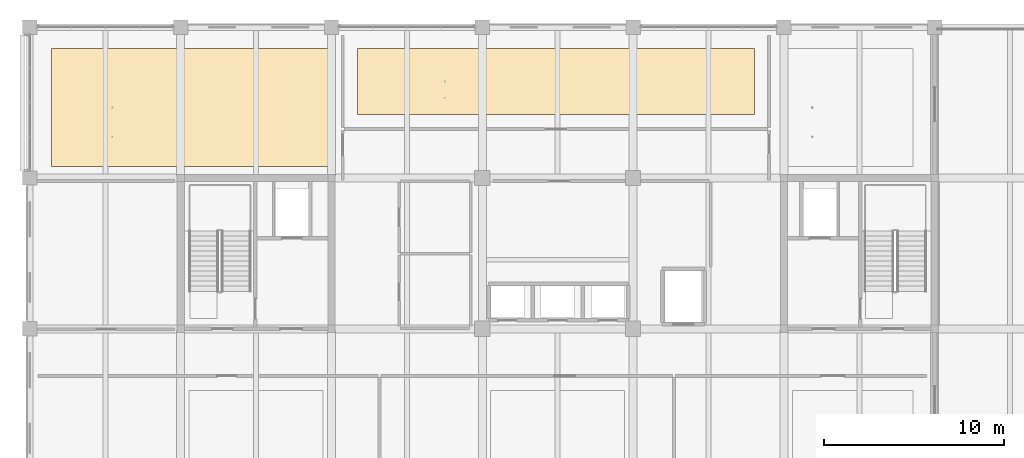
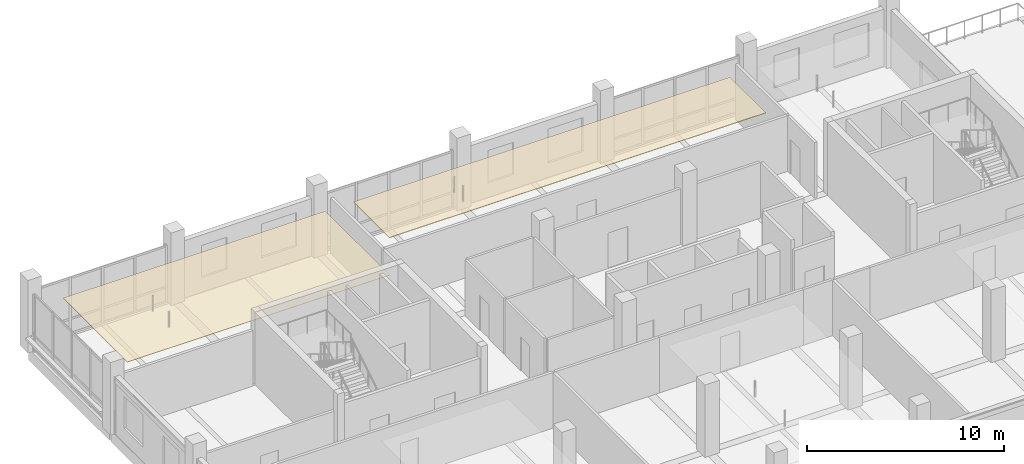
# One storey, part 27 of 36: 2 coverings.
"""IFC4 building model written with IfcOpenShell, lengths in metres."""

import ifcopenshell
import ifcopenshell.guid

model = None  # the IFC model being written
_history = None  # IfcOwnerHistory: only IFC2X3 demands one
_inside = {}  # id of a spatial element -> (the spatial element, [elements in it])
_under = {}  # id of a project, library or spatial element -> (it, [spatial elements below it])
_declared = {}  # id of a project -> (the project, [libraries it declares])
_typed = {}  # id of a type object -> (the type object, [elements of that type])
_made_of = {}  # id of a material, layer set ... -> (it, [elements and type objects made of it])


def new_model(schema):
    """Start an empty IFC model of exactly this schema.

    Asked for "IFC4X3", IfcOpenShell would pick the latest addendum, in which some entities
    have other attributes; the version numbers below select the first issue.
    IFC2X3 requires an IfcOwnerHistory on every rooted entity: one is made here for all.
    """
    global model, _history
    if schema == "IFC4X3":
        model = ifcopenshell.file(schema_version=(4, 3, 0, 0))
    else:
        model = ifcopenshell.file(schema=schema)
    _inside.clear()
    _under.clear()
    _declared.clear()
    _typed.clear()
    _made_of.clear()
    _history = None
    if model.schema == "IFC2X3":
        org = make("IfcOrganization", Name="unknown")
        user = make(
            "IfcPersonAndOrganization",
            ThePerson=make("IfcPerson", FamilyName="unknown"),
            TheOrganization=org,
        )
        app = make(
            "IfcApplication",
            ApplicationDeveloper=org,
            Version="unknown",
            ApplicationFullName="unknown",
            ApplicationIdentifier="unknown",
        )
        _history = make(
            "IfcOwnerHistory",
            OwningUser=user,
            OwningApplication=app,
            ChangeAction="ADDED",
            CreationDate=0,
        )
    return model


def make(cls, **values):
    """One entity of the class cls with the attributes given. An attribute that is None is left unset."""
    return model.create_entity(
        cls, **{name: value for name, value in values.items() if value is not None}
    )


def rooted(cls, **values):
    """An entity with a GlobalId (a new one), such as an element, a storey or a relation."""
    return make(cls, GlobalId=ifcopenshell.guid.new(), OwnerHistory=_history, **values)


def si_unit(unit_type, name, prefix=None):
    """IfcSIUnit, for example si_unit("LENGTHUNIT", "METRE", prefix="MILLI")."""
    return make("IfcSIUnit", UnitType=unit_type, Prefix=prefix, Name=name)


def assignment(units):
    """IfcUnitAssignment: the units of a project."""
    return None if units is None else make("IfcUnitAssignment", Units=units)


def point(xyz):
    """IfcCartesianPoint."""
    return None if xyz is None else make("IfcCartesianPoint", Coordinates=xyz)


def direction(xyz):
    """IfcDirection."""
    return None if xyz is None else make("IfcDirection", DirectionRatios=xyz)


def frame(location, z_axis=None, x_axis=None):
    """IfcAxis2Placement3D, a coordinate frame: its origin and axes. An axis left out is left unset."""
    return make(
        "IfcAxis2Placement3D",
        Location=point(location),
        Axis=direction(z_axis),
        RefDirection=direction(x_axis),
    )


def origin():
    """The frame at (0, 0, 0) with its axes left unset."""
    return frame((0.0, 0.0, 0.0))


def place(relative_to, where):
    """IfcLocalPlacement: puts the frame where relative to a parent placement (None: the world)."""
    return make(
        "IfcLocalPlacement", PlacementRelTo=relative_to, RelativePlacement=where
    )


def context(
    kind, dimensions, precision=None, world=None, true_north=None, identifier=None
):
    """IfcGeometricRepresentationContext, for example the 3D "Model" context."""
    return make(
        "IfcGeometricRepresentationContext",
        ContextIdentifier=identifier,
        ContextType=kind,
        CoordinateSpaceDimension=dimensions,
        Precision=precision,
        WorldCoordinateSystem=world,
        TrueNorth=true_north,
    )


def subcontext(parent, identifier, kind, view, scale=None):
    """IfcGeometricRepresentationSubContext, for example "Body" below "Model"."""
    return make(
        "IfcGeometricRepresentationSubContext",
        ContextIdentifier=identifier,
        ContextType=kind,
        ParentContext=parent,
        TargetScale=scale,
        TargetView=view,
    )


def project(units=None, contexts=None):
    """IfcProject with its units and contexts."""
    return rooted(
        "IfcProject",
        Name="project",
        RepresentationContexts=contexts,
        UnitsInContext=assignment(units),
    )


def spatial(cls, under=None, at=None, **own):
    """A site, building, storey or space (cls), placed at a placement, below another one or the project."""
    s = rooted(cls, ObjectPlacement=at, **own)
    if under is not None:
        _under.setdefault(under.id(), (under, []))[1].append(s)
    return s


def polyline(points):
    """IfcPolyline through the points."""
    return make("IfcPolyline", Points=[point(p) for p in points])


def outline(outer, holes=None, kind="AREA"):
    """IfcArbitraryClosedProfileDef: a profile drawn as a closed curve; with holes, ...WithVoids."""
    if holes is None:
        return make("IfcArbitraryClosedProfileDef", ProfileType=kind, OuterCurve=outer)
    return make(
        "IfcArbitraryProfileDefWithVoids",
        ProfileType=kind,
        OuterCurve=outer,
        InnerCurves=holes,
    )


def extrude(swept, where, along, depth):
    """IfcExtrudedAreaSolid: the profile swept, set in the frame where, extruded along a direction by depth."""
    return make(
        "IfcExtrudedAreaSolid",
        SweptArea=swept,
        Position=where,
        ExtrudedDirection=direction(along),
        Depth=depth,
    )


def shape(context_of_items, identifier, shape_type, items):
    """IfcShapeRepresentation: the items that make up one representation, for example the "Body"."""
    return make(
        "IfcShapeRepresentation",
        ContextOfItems=context_of_items,
        RepresentationIdentifier=identifier,
        RepresentationType=shape_type,
        Items=items,
    )


def material(Name=None, Category=None):
    """IfcMaterial."""
    return make("IfcMaterial", Name=Name, Category=Category)


def layer(
    of_material, thickness, ventilated=None, Name=None, Category=None, Priority=None
):
    """IfcMaterialLayer: one layer of a wall or slab, of a material (None: an air gap)."""
    return make(
        "IfcMaterialLayer",
        Material=of_material,
        LayerThickness=thickness,
        IsVentilated=ventilated,
        Name=Name,
        Category=Category,
        Priority=Priority,
    )


def layer_set(layers, Name=None):
    """IfcMaterialLayerSet."""
    return make("IfcMaterialLayerSet", MaterialLayers=layers, LayerSetName=Name)


def made_of(thing, what):
    """Note that an element or type object is made of a material, layer set ...; save() writes the relation."""
    if what is not None:
        _made_of.setdefault(what.id(), (what, []))[1].append(thing)
    return thing


def type_object(cls, material=None, **own):
    """A type object (cls), such as IfcWallType, which elements share."""
    return made_of(rooted(cls, **own), material)


def element(
    cls,
    number,
    at=None,
    inside=None,
    cuts=None,
    type_object=None,
    material=None,
    context=None,
    identifier="Body",
    shape_type=None,
    held_by="IfcProductDefinitionShape",
    body=None,
    shapes=None,
    **own,
):
    """One element of the class cls, such as IfcWall. Its Tag is "e" and its number.

    at: its placement. inside: the storey or other place that contains it. cuts: it is an
    opening in that element (IfcRelVoidsElement). A single representation is given by context,
    identifier, shape_type and body (its items); several are given by shapes. held_by: the class
    of the entity that holds the representations. save() writes the other relations.
    """
    e = rooted(cls, Tag="e%d" % number, ObjectPlacement=at, **own)
    if body is not None:
        shapes = [shape(context, identifier, shape_type, body)]
    if shapes is not None:
        e.Representation = make(held_by, Representations=shapes)
    if inside is not None:
        _inside.setdefault(inside.id(), (inside, []))[1].append(e)
    if cuts is not None:
        rooted(
            "IfcRelVoidsElement", RelatingBuildingElement=cuts, RelatedOpeningElement=e
        )
    if type_object is not None:
        _typed.setdefault(type_object.id(), (type_object, []))[1].append(e)
    return made_of(e, material)


def aggregate(whole, parts):
    """IfcRelAggregates: a whole, such as a stair, and the parts it consists of."""
    return rooted("IfcRelAggregates", RelatingObject=whole, RelatedObjects=parts)


def save(model, path):
    """Write the relations noted so far, then the file.

    IfcRelAggregates (storeys below a building ...), IfcRelContainedInSpatialStructure (elements
    in a storey), IfcRelDefinesByType, IfcRelAssociatesMaterial and IfcRelDeclares: one each for
    every whole, place, type object, material and project.
    """
    for whole, parts in _under.values():
        aggregate(whole, parts)
    for where, things in _inside.values():
        rooted(
            "IfcRelContainedInSpatialStructure",
            RelatedElements=things,
            RelatingStructure=where,
        )
    for kind, things in _typed.values():
        rooted("IfcRelDefinesByType", RelatedObjects=things, RelatingType=kind)
    for what, things in _made_of.values():
        rooted("IfcRelAssociatesMaterial", RelatedObjects=things, RelatingMaterial=what)
    for by, libraries in _declared.values():
        rooted("IfcRelDeclares", RelatingContext=by, RelatedDefinitions=libraries)
    model.write(path)


model = new_model("IFC4")

# Units and contexts
model_context = context("Model", 3, precision=1e-05, world=origin(), true_north=direction((0.0, 1.0)))
body_context = subcontext(model_context, "Body", "Model", "MODEL_VIEW")
ifc_project = project(units=[si_unit("LENGTHUNIT", "METRE"), si_unit("AREAUNIT", "SQUARE_METRE"), si_unit("VOLUMEUNIT", "CUBIC_METRE"), si_unit("PLANEANGLEUNIT", "RADIAN"), si_unit("MASSUNIT", "GRAM", prefix="KILO")], contexts=[model_context])

# Site, building, storey
site_placement = place(None, origin())
site = spatial("IfcSite", under=ifc_project, at=site_placement, CompositionType="ELEMENT")
building_placement = place(site_placement, origin())
building = spatial("IfcBuilding", under=site, at=building_placement, Name="Telukmera Botanical Conservatory", CompositionType="ELEMENT")
storey_placement = place(building_placement, frame((0.0, 0.0, 33.0)))
storey = spatial("IfcBuildingStorey", under=building, at=storey_placement, Name="L07", CompositionType="ELEMENT", Elevation=33.0)

# Coverings
ifc_material_1 = material(Name="Mineral fibre acoustic ceiling")
ifc_layer_1 = layer(ifc_material_1, 0.030029296875)
ifc_layer_set_1 = layer_set([ifc_layer_1], Name="Mineral fibre acoustic ceiling")
covering_type_1 = type_object("IfcCoveringType", Name="COV-CEIL-30", PredefinedType="CEILING", material=ifc_layer_set_1)
covering_1_placement = place(storey_placement, frame((0.0, 0.0, 3.320068359375)))
element("IfcCovering", 1, at=covering_1_placement, inside=storey, type_object=covering_type_1, Name="L07 Molecular Systematics Laboratory Suspended Acoustic Ceiling", PredefinedType="CEILING", context=body_context, shape_type="SweptSolid", body=[
    extrude(outline(polyline([(51.60009765625, 35.050048828125), (67.0, 35.050048828125), (67.0, 41.60009765625), (51.60009765625, 41.60009765625), (51.60009765625, 35.050048828125)])), origin(), (0.0, 0.0, 1.0), 0.030029296875),
])
ifc_material_2 = material(Name="Perforated gypsum acoustic ceiling")
ifc_layer_2 = layer(ifc_material_2, 0.0400390625)
ifc_layer_set_2 = layer_set([ifc_layer_2], Name="Perforated gypsum acoustic ceiling")
covering_type_2 = type_object("IfcCoveringType", Name="COV-CEIL-40", PredefinedType="CEILING", material=ifc_layer_set_2)
covering_2_placement = place(storey_placement, frame((0.0, 0.0, 3.31005859375)))
element("IfcCovering", 2, at=covering_2_placement, inside=storey, type_object=covering_type_2, Name="L07 Phylogenetics Research Laboratory Suspended Acoustic Ceiling", PredefinedType="CEILING", context=body_context, shape_type="SweptSolid", body=[
    extrude(outline(polyline([(68.64990234375, 37.949951171875), (90.75, 37.949951171875), (90.75, 41.60009765625), (68.64990234375, 41.60009765625), (68.64990234375, 37.949951171875)])), origin(), (0.0, 0.0, 1.0), 0.0400390625),
])

save(model, "model.ifc")
